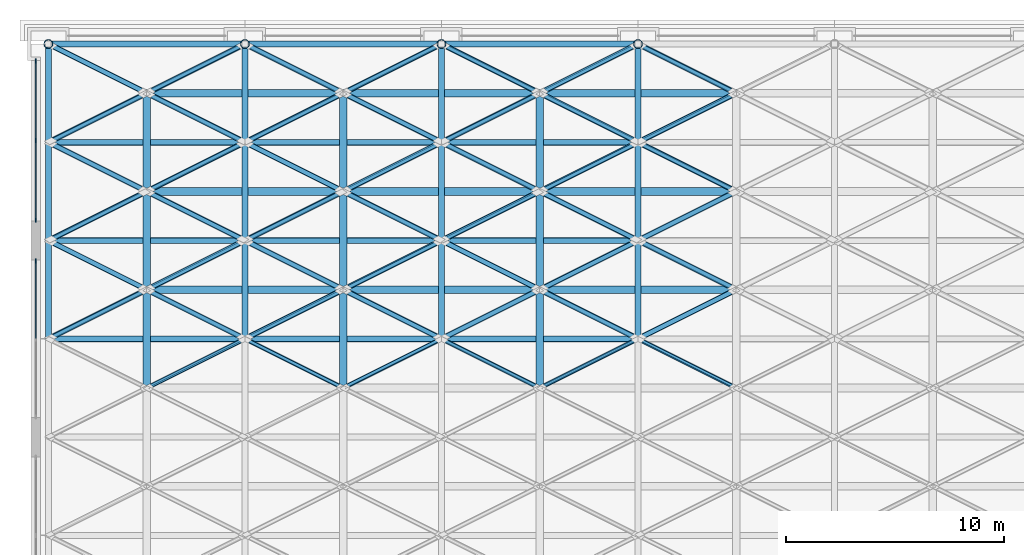
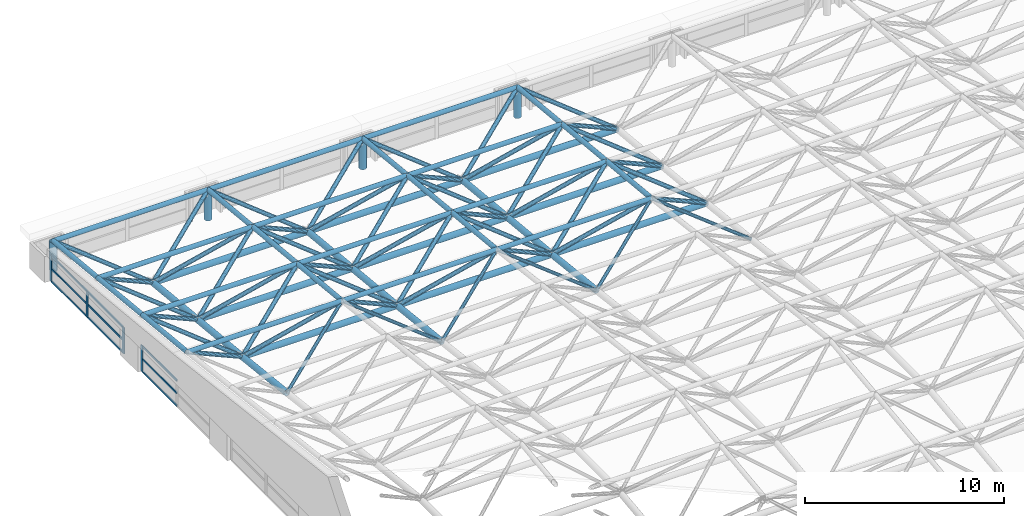
# One storey, part 9 of 53: 107 members, 2 elements without a shape of their own.
"""IFC4 building model written with IfcOpenShell, lengths in metres."""

import ifcopenshell
import ifcopenshell.guid

model = None  # the IFC model being written
_history = None  # IfcOwnerHistory: only IFC2X3 demands one
_inside = {}  # id of a spatial element -> (the spatial element, [elements in it])
_under = {}  # id of a project, library or spatial element -> (it, [spatial elements below it])
_declared = {}  # id of a project -> (the project, [libraries it declares])
_typed = {}  # id of a type object -> (the type object, [elements of that type])
_made_of = {}  # id of a material, layer set ... -> (it, [elements and type objects made of it])


def new_model(schema):
    """Start an empty IFC model of exactly this schema.

    Asked for "IFC4X3", IfcOpenShell would pick the latest addendum, in which some entities
    have other attributes; the version numbers below select the first issue.
    IFC2X3 requires an IfcOwnerHistory on every rooted entity: one is made here for all.
    """
    global model, _history
    if schema == "IFC4X3":
        model = ifcopenshell.file(schema_version=(4, 3, 0, 0))
    else:
        model = ifcopenshell.file(schema=schema)
    _inside.clear()
    _under.clear()
    _declared.clear()
    _typed.clear()
    _made_of.clear()
    _history = None
    if model.schema == "IFC2X3":
        org = make("IfcOrganization", Name="unknown")
        user = make(
            "IfcPersonAndOrganization",
            ThePerson=make("IfcPerson", FamilyName="unknown"),
            TheOrganization=org,
        )
        app = make(
            "IfcApplication",
            ApplicationDeveloper=org,
            Version="unknown",
            ApplicationFullName="unknown",
            ApplicationIdentifier="unknown",
        )
        _history = make(
            "IfcOwnerHistory",
            OwningUser=user,
            OwningApplication=app,
            ChangeAction="ADDED",
            CreationDate=0,
        )
    return model


def make(cls, **values):
    """One entity of the class cls with the attributes given. An attribute that is None is left unset."""
    return model.create_entity(
        cls, **{name: value for name, value in values.items() if value is not None}
    )


def rooted(cls, **values):
    """An entity with a GlobalId (a new one), such as an element, a storey or a relation."""
    return make(cls, GlobalId=ifcopenshell.guid.new(), OwnerHistory=_history, **values)


def si_unit(unit_type, name, prefix=None):
    """IfcSIUnit, for example si_unit("LENGTHUNIT", "METRE", prefix="MILLI")."""
    return make("IfcSIUnit", UnitType=unit_type, Prefix=prefix, Name=name)


def assignment(units):
    """IfcUnitAssignment: the units of a project."""
    return None if units is None else make("IfcUnitAssignment", Units=units)


def point(xyz):
    """IfcCartesianPoint."""
    return None if xyz is None else make("IfcCartesianPoint", Coordinates=xyz)


def direction(xyz):
    """IfcDirection."""
    return None if xyz is None else make("IfcDirection", DirectionRatios=xyz)


def frame(location, z_axis=None, x_axis=None):
    """IfcAxis2Placement3D, a coordinate frame: its origin and axes. An axis left out is left unset."""
    return make(
        "IfcAxis2Placement3D",
        Location=point(location),
        Axis=direction(z_axis),
        RefDirection=direction(x_axis),
    )


def frame_2d(location, x_axis=None):
    """IfcAxis2Placement2D, a coordinate frame in the plane: its origin and x axis."""
    return make(
        "IfcAxis2Placement2D", Location=point(location), RefDirection=direction(x_axis)
    )


def origin():
    """The frame at (0, 0, 0) with its axes left unset."""
    return frame((0.0, 0.0, 0.0))


def origin_2d():
    """The frame at (0, 0) in the plane with its x axis left unset."""
    return frame_2d((0.0, 0.0))


def place(relative_to, where):
    """IfcLocalPlacement: puts the frame where relative to a parent placement (None: the world)."""
    return make(
        "IfcLocalPlacement", PlacementRelTo=relative_to, RelativePlacement=where
    )


def context(
    kind, dimensions, precision=None, world=None, true_north=None, identifier=None
):
    """IfcGeometricRepresentationContext, for example the 3D "Model" context."""
    return make(
        "IfcGeometricRepresentationContext",
        ContextIdentifier=identifier,
        ContextType=kind,
        CoordinateSpaceDimension=dimensions,
        Precision=precision,
        WorldCoordinateSystem=world,
        TrueNorth=true_north,
    )


def subcontext(parent, identifier, kind, view, scale=None):
    """IfcGeometricRepresentationSubContext, for example "Body" below "Model"."""
    return make(
        "IfcGeometricRepresentationSubContext",
        ContextIdentifier=identifier,
        ContextType=kind,
        ParentContext=parent,
        TargetScale=scale,
        TargetView=view,
    )


def project(units=None, contexts=None):
    """IfcProject with its units and contexts."""
    return rooted(
        "IfcProject",
        Name="project",
        RepresentationContexts=contexts,
        UnitsInContext=assignment(units),
    )


def spatial(cls, under=None, at=None, **own):
    """A site, building, storey or space (cls), placed at a placement, below another one or the project."""
    s = rooted(cls, ObjectPlacement=at, **own)
    if under is not None:
        _under.setdefault(under.id(), (under, []))[1].append(s)
    return s


def profile(cls, at=None, kind="AREA", **sizes):
    """A parametric profile (cls). Its sizes go by their IFC names, for example OverallWidth=200.0."""
    return make(cls, ProfileType=kind, Position=at, **sizes)


def rectangle(**sizes):
    """IfcRectangleProfileDef."""
    return profile("IfcRectangleProfileDef", **sizes)


def hollow_circle(**sizes):
    """IfcCircleHollowProfileDef."""
    return profile("IfcCircleHollowProfileDef", **sizes)


def extrude(swept, where, along, depth):
    """IfcExtrudedAreaSolid: the profile swept, set in the frame where, extruded along a direction by depth."""
    return make(
        "IfcExtrudedAreaSolid",
        SweptArea=swept,
        Position=where,
        ExtrudedDirection=direction(along),
        Depth=depth,
    )


def shape(context_of_items, identifier, shape_type, items):
    """IfcShapeRepresentation: the items that make up one representation, for example the "Body"."""
    return make(
        "IfcShapeRepresentation",
        ContextOfItems=context_of_items,
        RepresentationIdentifier=identifier,
        RepresentationType=shape_type,
        Items=items,
    )


def material(Name=None, Category=None):
    """IfcMaterial."""
    return make("IfcMaterial", Name=Name, Category=Category)


def material_profile(
    of_material, cross_section, Name=None, Category=None, Priority=None
):
    """IfcMaterialProfile: a cross section and its material."""
    return make(
        "IfcMaterialProfile",
        Name=Name,
        Material=of_material,
        Profile=cross_section,
        Priority=Priority,
        Category=Category,
    )


def profile_set(profiles, Name=None, composite=None):
    """IfcMaterialProfileSet."""
    return make(
        "IfcMaterialProfileSet",
        Name=Name,
        MaterialProfiles=profiles,
        CompositeProfile=composite,
    )


def made_of(thing, what):
    """Note that an element or type object is made of a material, layer set ...; save() writes the relation."""
    if what is not None:
        _made_of.setdefault(what.id(), (what, []))[1].append(thing)
    return thing


def type_object(cls, material=None, **own):
    """A type object (cls), such as IfcWallType, which elements share."""
    return made_of(rooted(cls, **own), material)


def element(
    cls,
    number,
    at=None,
    inside=None,
    cuts=None,
    type_object=None,
    material=None,
    context=None,
    identifier="Body",
    shape_type=None,
    held_by="IfcProductDefinitionShape",
    body=None,
    shapes=None,
    **own,
):
    """One element of the class cls, such as IfcWall. Its Tag is "e" and its number.

    at: its placement. inside: the storey or other place that contains it. cuts: it is an
    opening in that element (IfcRelVoidsElement). A single representation is given by context,
    identifier, shape_type and body (its items); several are given by shapes. held_by: the class
    of the entity that holds the representations. save() writes the other relations.
    """
    e = rooted(cls, Tag="e%d" % number, ObjectPlacement=at, **own)
    if body is not None:
        shapes = [shape(context, identifier, shape_type, body)]
    if shapes is not None:
        e.Representation = make(held_by, Representations=shapes)
    if inside is not None:
        _inside.setdefault(inside.id(), (inside, []))[1].append(e)
    if cuts is not None:
        rooted(
            "IfcRelVoidsElement", RelatingBuildingElement=cuts, RelatedOpeningElement=e
        )
    if type_object is not None:
        _typed.setdefault(type_object.id(), (type_object, []))[1].append(e)
    return made_of(e, material)


def aggregate(whole, parts):
    """IfcRelAggregates: a whole, such as a stair, and the parts it consists of."""
    return rooted("IfcRelAggregates", RelatingObject=whole, RelatedObjects=parts)


def save(model, path):
    """Write the relations noted so far, then the file.

    IfcRelAggregates (storeys below a building ...), IfcRelContainedInSpatialStructure (elements
    in a storey), IfcRelDefinesByType, IfcRelAssociatesMaterial and IfcRelDeclares: one each for
    every whole, place, type object, material and project.
    """
    for whole, parts in _under.values():
        aggregate(whole, parts)
    for where, things in _inside.values():
        rooted(
            "IfcRelContainedInSpatialStructure",
            RelatedElements=things,
            RelatingStructure=where,
        )
    for kind, things in _typed.values():
        rooted("IfcRelDefinesByType", RelatedObjects=things, RelatingType=kind)
    for what, things in _made_of.values():
        rooted("IfcRelAssociatesMaterial", RelatedObjects=things, RelatingMaterial=what)
    for by, libraries in _declared.values():
        rooted("IfcRelDeclares", RelatingContext=by, RelatedDefinitions=libraries)
    model.write(path)


model = new_model("IFC4")

# Units and contexts
model_context = context("Model", 3, precision=1e-05, world=origin(), true_north=direction((0.0, 1.0)))
body_context = subcontext(model_context, "Body", "Model", "MODEL_VIEW")
ifc_project = project(units=[si_unit("LENGTHUNIT", "METRE"), si_unit("AREAUNIT", "SQUARE_METRE"), si_unit("VOLUMEUNIT", "CUBIC_METRE"), si_unit("PLANEANGLEUNIT", "RADIAN"), si_unit("MASSUNIT", "GRAM", prefix="KILO")], contexts=[model_context])

# Site, building, storey
site_placement = place(None, origin())
site = spatial("IfcSite", under=ifc_project, at=site_placement, CompositionType="ELEMENT")
building_placement = place(site_placement, origin())
building = spatial("IfcBuilding", under=site, at=building_placement, Name="Aravalli Gate Trade Fair Centre", CompositionType="ELEMENT")
storey_placement = place(building_placement, frame((0.0, 0.0, 25.199951171875)))
storey = spatial("IfcBuildingStorey", under=building, at=storey_placement, Name="ROOF LEVEL 2", CompositionType="ELEMENT", Elevation=25.199951171875)

# Members
ifc_material_1 = material(Name="Steel E350", Category="steel")
ifc_material_profile_1 = material_profile(ifc_material_1, hollow_circle(Radius=0.096923828125, WallThickness=0.00634765625, at=origin_2d()), Name="CHS 193.7x6.3")
ifc_profile_set_1 = profile_set([ifc_material_profile_1], Name="Steel E350")
member_type_1 = type_object("IfcMemberType", Name="CHS 193.7x6.3", PredefinedType="BRACE", material=ifc_profile_set_1)
for number, where, z_axis, x_axis, name in (
    (1, (15.0, 95.5, 3.150146484375), (0.786469857322, -0.393234928661, -0.476268258867), (0.4472135955, 0.894427191, 0.0), "Space frame web diagonal D5C"),
    (2, (24.0, 95.5, 3.150146484375), (0.786469857322, -0.393234928661, -0.476268258867), (0.4472135955, 0.894427191, 0.0), "Space frame web diagonal D5C"),
    (3, (33.0, 95.5, 3.150146484375), (0.786469857322, -0.393234928661, -0.476268258867), (0.4472135955, 0.894427191, 0.0), "Space frame web diagonal D5C"),
    (4, (15.0, 95.5, 3.150146484375), (-0.786469857322, -0.393234928661, -0.476268258867), (0.4472135955, -0.894427191, 0.0), "Space frame web diagonal D5D"),
    (5, (24.0, 95.5, 3.150146484375), (-0.786469857322, -0.393234928661, -0.476268258867), (0.4472135955, -0.894427191, 0.0), "Space frame web diagonal D5D"),
    (6, (33.0, 95.5, 3.150146484375), (-0.786469857322, -0.393234928661, -0.476268258867), (0.4472135955, -0.894427191, 0.0), "Space frame web diagonal D5D"),
):
    element("IfcMember", number, at=place(storey_placement, frame(where, z_axis=z_axis, x_axis=x_axis)), inside=storey, type_object=member_type_1, Name=name, PredefinedType="BRACE", context=body_context, shape_type="SweptSolid", body=[
        extrude(hollow_circle(Radius=0.096923828125, WallThickness=0.00634765625, at=origin_2d()), origin(), (0.0, 0.0, 1.0), 5.7216796875),
    ])
ifc_material_profile_2 = material_profile(ifc_material_1, hollow_circle(Radius=0.122314453125, WallThickness=0.008056640625, at=origin_2d()), Name="CHS 244.5x8")
ifc_profile_set_2 = profile_set([ifc_material_profile_2], Name="Steel E350")
member_type_2 = type_object("IfcMemberType", Name="CHS 244.5x8", PredefinedType="BRACE", material=ifc_profile_set_2)
for number, where, z_axis, x_axis, name in (
    (7, (6.0, 95.5, 3.150146484375), (0.752999619823, 0.376499809912, -0.539666068678), (-0.4472135955, 0.894427191, 0.0), "Space frame web diagonal D6A"),
    (8, (15.0, 95.5, 3.150146484375), (0.752999619823, 0.376499809912, -0.539666068678), (-0.4472135955, 0.894427191, 0.0), "Space frame web diagonal D6A"),
    (9, (24.0, 95.5, 3.150146484375), (0.752999619823, 0.376499809912, -0.539666068678), (-0.4472135955, 0.894427191, 0.0), "Space frame web diagonal D6A"),
    (10, (33.0, 95.5, 3.150146484375), (0.752999619823, 0.376499809912, -0.539666068678), (-0.4472135955, 0.894427191, 0.0), "Space frame web diagonal D6A"),
    (11, (6.0, 100.0, 2.699951171875), (0.753016221047, 0.376508110523, -0.539637112837), (-0.4472135955, 0.894427191, 0.0), "Space frame web diagonal D6A"),
    (12, (15.0, 100.0, 2.699951171875), (0.753016221047, 0.376508110523, -0.539637112837), (-0.4472135955, 0.894427191, 0.0), "Space frame web diagonal D6A"),
    (13, (24.0, 100.0, 2.699951171875), (0.753016221047, 0.376508110523, -0.539637112837), (-0.4472135955, 0.894427191, 0.0), "Space frame web diagonal D6A"),
    (14, (33.0, 100.0, 2.699951171875), (0.753016221047, 0.376508110523, -0.539637112837), (-0.4472135955, 0.894427191, 0.0), "Space frame web diagonal D6A"),
    (15, (6.0, 104.5, 2.25), (0.753016221047, 0.376508110523, -0.539637112837), (-0.4472135955, 0.894427191, 0.0), "Space frame web diagonal D6A"),
    (16, (15.0, 104.5, 2.25), (0.753016221047, 0.376508110523, -0.539637112837), (-0.4472135955, 0.894427191, 0.0), "Space frame web diagonal D6A"),
    (17, (24.0, 104.5, 2.25), (0.753016221047, 0.376508110523, -0.539637112837), (-0.4472135955, 0.894427191, 0.0), "Space frame web diagonal D6A"),
    (18, (33.0, 104.5, 2.25), (0.753016221047, 0.376508110523, -0.539637112837), (-0.4472135955, 0.894427191, 0.0), "Space frame web diagonal D6A"),
    (19, (15.0, 95.5, 3.150146484375), (-0.752999619823, 0.376499809912, -0.539666068678), (-0.4472135955, -0.894427191, 0.0), "Space frame web diagonal D6B"),
    (20, (24.0, 95.5, 3.150146484375), (-0.752999619823, 0.376499809912, -0.539666068678), (-0.4472135955, -0.894427191, 0.0), "Space frame web diagonal D6B"),
    (21, (33.0, 95.5, 3.150146484375), (-0.752999619823, 0.376499809912, -0.539666068678), (-0.4472135955, -0.894427191, 0.0), "Space frame web diagonal D6B"),
    (22, (15.0, 100.0, 2.699951171875), (-0.753016221047, 0.376508110523, -0.539637112837), (-0.4472135955, -0.894427191, 0.0), "Space frame web diagonal D6B"),
    (23, (24.0, 100.0, 2.699951171875), (-0.753016221047, 0.376508110523, -0.539637112837), (-0.4472135955, -0.894427191, 0.0), "Space frame web diagonal D6B"),
    (24, (33.0, 100.0, 2.699951171875), (-0.753016221047, 0.376508110523, -0.539637112837), (-0.4472135955, -0.894427191, 0.0), "Space frame web diagonal D6B"),
    (25, (15.0, 104.5, 2.25), (-0.753016221047, 0.376508110523, -0.539637112837), (-0.4472135955, -0.894427191, 0.0), "Space frame web diagonal D6B"),
    (26, (24.0, 104.5, 2.25), (-0.753016221047, 0.376508110523, -0.539637112837), (-0.4472135955, -0.894427191, 0.0), "Space frame web diagonal D6B"),
    (27, (33.0, 104.5, 2.25), (-0.753016221047, 0.376508110523, -0.539637112837), (-0.4472135955, -0.894427191, 0.0), "Space frame web diagonal D6B"),
):
    element("IfcMember", number, at=place(storey_placement, frame(where, z_axis=z_axis, x_axis=x_axis)), inside=storey, type_object=member_type_2, Name=name, PredefinedType="BRACE", context=body_context, shape_type="SweptSolid", body=[
        extrude(hollow_circle(Radius=0.122314453125, WallThickness=0.008056640625, at=origin_2d()), origin(), (0.0, 0.0, 1.0), 5.97607421875),
    ])
for number, where, z_axis, x_axis, name in (
    (28, (6.0, 100.0, 2.699951171875), (0.783200147531, -0.391600073766, -0.48295642778), (0.4472135955, 0.894427191, 0.0), "Space frame web diagonal D6C"),
    (29, (15.0, 100.0, 2.699951171875), (0.783200147531, -0.391600073766, -0.48295642778), (0.4472135955, 0.894427191, 0.0), "Space frame web diagonal D6C"),
    (30, (24.0, 100.0, 2.699951171875), (0.783200147531, -0.391600073766, -0.48295642778), (0.4472135955, 0.894427191, 0.0), "Space frame web diagonal D6C"),
    (31, (33.0, 100.0, 2.699951171875), (0.783200147531, -0.391600073766, -0.48295642778), (0.4472135955, 0.894427191, 0.0), "Space frame web diagonal D6C"),
    (32, (6.0, 104.5, 2.25), (0.783200147531, -0.391600073766, -0.48295642778), (0.4472135955, 0.894427191, 0.0), "Space frame web diagonal D6C"),
    (33, (15.0, 104.5, 2.25), (0.783200147531, -0.391600073766, -0.48295642778), (0.4472135955, 0.894427191, 0.0), "Space frame web diagonal D6C"),
    (34, (24.0, 104.5, 2.25), (0.783200147531, -0.391600073766, -0.48295642778), (0.4472135955, 0.894427191, 0.0), "Space frame web diagonal D6C"),
    (35, (33.0, 104.5, 2.25), (0.783200147531, -0.391600073766, -0.48295642778), (0.4472135955, 0.894427191, 0.0), "Space frame web diagonal D6C"),
    (36, (6.0, 109.0, 1.800048828125), (0.783200147531, -0.391600073766, -0.48295642778), (0.4472135955, 0.894427191, 0.0), "Space frame web diagonal D6C"),
    (37, (15.0, 109.0, 1.800048828125), (0.783200147531, -0.391600073766, -0.48295642778), (0.4472135955, 0.894427191, 0.0), "Space frame web diagonal D6C"),
    (38, (24.0, 109.0, 1.800048828125), (0.783200147531, -0.391600073766, -0.48295642778), (0.4472135955, 0.894427191, 0.0), "Space frame web diagonal D6C"),
    (39, (33.0, 109.0, 1.800048828125), (0.783200147531, -0.391600073766, -0.48295642778), (0.4472135955, 0.894427191, 0.0), "Space frame web diagonal D6C"),
    (40, (15.0, 100.0, 2.699951171875), (-0.783200147531, -0.391600073766, -0.48295642778), (0.4472135955, -0.894427191, 0.0), "Space frame web diagonal D6D"),
    (41, (24.0, 100.0, 2.699951171875), (-0.783200147531, -0.391600073766, -0.48295642778), (0.4472135955, -0.894427191, 0.0), "Space frame web diagonal D6D"),
    (42, (33.0, 100.0, 2.699951171875), (-0.783200147531, -0.391600073766, -0.48295642778), (0.4472135955, -0.894427191, 0.0), "Space frame web diagonal D6D"),
    (43, (15.0, 104.5, 2.25), (-0.783200147531, -0.391600073766, -0.48295642778), (0.4472135955, -0.894427191, 0.0), "Space frame web diagonal D6D"),
    (44, (24.0, 104.5, 2.25), (-0.783200147531, -0.391600073766, -0.48295642778), (0.4472135955, -0.894427191, 0.0), "Space frame web diagonal D6D"),
    (45, (33.0, 104.5, 2.25), (-0.783200147531, -0.391600073766, -0.48295642778), (0.4472135955, -0.894427191, 0.0), "Space frame web diagonal D6D"),
    (46, (15.0, 109.0, 1.800048828125), (-0.783200147531, -0.391600073766, -0.48295642778), (0.4472135955, -0.894427191, 0.0), "Space frame web diagonal D6D"),
    (47, (24.0, 109.0, 1.800048828125), (-0.783200147531, -0.391600073766, -0.48295642778), (0.4472135955, -0.894427191, 0.0), "Space frame web diagonal D6D"),
    (48, (33.0, 109.0, 1.800048828125), (-0.783200147531, -0.391600073766, -0.48295642778), (0.4472135955, -0.894427191, 0.0), "Space frame web diagonal D6D"),
):
    element("IfcMember", number, at=place(storey_placement, frame(where, z_axis=z_axis, x_axis=x_axis)), inside=storey, type_object=member_type_2, Name=name, PredefinedType="BRACE", context=body_context, shape_type="SweptSolid", body=[
        extrude(hollow_circle(Radius=0.122314453125, WallThickness=0.008056640625, at=origin_2d()), origin(), (0.0, 0.0, 1.0), 5.74560546875),
    ])
ifc_material_profile_3 = material_profile(ifc_material_1, hollow_circle(Radius=0.136474609375, WallThickness=0.010009765625, at=origin_2d()), Name="CHS 273.1x10")
ifc_profile_set_3 = profile_set([ifc_material_profile_3], Name="Steel E350")
member_type_3 = type_object("IfcMemberType", Name="CHS 273.1x10", PredefinedType="CHORD", material=ifc_profile_set_3)
for number, where, z_axis, x_axis, name in (
    (49, (6.0, 95.5, 3.150146484375), (1.0, 0.0, 0.0), (0.0, 1.0, 0.0), "Space frame top chord along the lines T6"),
    (50, (15.0, 95.5, 3.150146484375), (1.0, 0.0, 0.0), (0.0, 1.0, 0.0), "Space frame top chord along the lines T6"),
    (51, (24.0, 95.5, 3.150146484375), (1.0, 0.0, 0.0), (0.0, 1.0, 0.0), "Space frame top chord along the lines T6"),
    (52, (6.0, 100.0, 2.699951171875), (1.0, 0.0, 0.0), (0.0, 1.0, 0.0), "Space frame top chord along the lines T7"),
    (53, (15.0, 100.0, 2.699951171875), (1.0, 0.0, 0.0), (0.0, 1.0, 0.0), "Space frame top chord along the lines T7"),
    (54, (24.0, 100.0, 2.699951171875), (1.0, 0.0, 0.0), (0.0, 1.0, 0.0), "Space frame top chord along the lines T7"),
    (55, (6.0, 104.5, 2.25), (1.0, 0.0, 0.0), (0.0, 1.0, 0.0), "Space frame top chord along the lines T7"),
    (56, (15.0, 104.5, 2.25), (1.0, 0.0, 0.0), (0.0, 1.0, 0.0), "Space frame top chord along the lines T7"),
    (57, (24.0, 104.5, 2.25), (1.0, 0.0, 0.0), (0.0, 1.0, 0.0), "Space frame top chord along the lines T7"),
):
    element("IfcMember", number, at=place(storey_placement, frame(where, z_axis=z_axis, x_axis=x_axis)), inside=storey, type_object=member_type_3, Name=name, PredefinedType="CHORD", context=body_context, shape_type="SweptSolid", body=[
        extrude(hollow_circle(Radius=0.136474609375, WallThickness=0.010009765625, at=origin_2d()), origin(), (0.0, 0.0, 1.0), 9.0),
    ])
for number, where, z_axis, x_axis, name in (
    (58, (15.0, 95.5, 3.150146484375), (0.0, 0.995032913332, -0.099546478526), (-1.0, 0.0, 0.0), "Space frame top chord across the vault Y6"),
    (59, (15.0, 100.0, 2.699951171875), (0.0, 0.995038259148, -0.099493029059), (-1.0, 0.0, 0.0), "Space frame top chord across the vault Y6"),
    (60, (15.0, 104.5, 2.25), (0.0, 0.995038259148, -0.099493029059), (-1.0, 0.0, 0.0), "Space frame top chord across the vault Y6"),
    (61, (24.0, 95.5, 3.150146484375), (0.0, 0.995032913332, -0.099546478526), (-1.0, 0.0, 0.0), "Space frame top chord across the vault Y6"),
    (62, (24.0, 100.0, 2.699951171875), (0.0, 0.995038259148, -0.099493029059), (-1.0, 0.0, 0.0), "Space frame top chord across the vault Y6"),
    (63, (24.0, 104.5, 2.25), (0.0, 0.995038259148, -0.099493029059), (-1.0, 0.0, 0.0), "Space frame top chord across the vault Y6"),
    (64, (33.0, 95.5, 3.150146484375), (0.0, 0.995032913332, -0.099546478526), (-1.0, 0.0, 0.0), "Space frame top chord across the vault Y6"),
    (65, (33.0, 100.0, 2.699951171875), (0.0, 0.995038259148, -0.099493029059), (-1.0, 0.0, 0.0), "Space frame top chord across the vault Y6"),
    (66, (33.0, 104.5, 2.25), (0.0, 0.995038259148, -0.099493029059), (-1.0, 0.0, 0.0), "Space frame top chord across the vault Y6"),
):
    element("IfcMember", number, at=place(storey_placement, frame(where, z_axis=z_axis, x_axis=x_axis)), inside=storey, type_object=member_type_3, Name=name, PredefinedType="CHORD", context=body_context, shape_type="SweptSolid", body=[
        extrude(hollow_circle(Radius=0.136474609375, WallThickness=0.010009765625, at=origin_2d()), origin(), (0.0, 0.0, 1.0), 4.5224609375),
    ])
ifc_material_profile_4 = material_profile(ifc_material_1, hollow_circle(Radius=0.136474609375, WallThickness=0.01611328125, at=origin_2d()), Name="CHS 273.1x16")
ifc_profile_set_4 = profile_set([ifc_material_profile_4], Name="Steel E350")
member_type_4 = type_object("IfcMemberType", Name="CHS 273.1x16", PredefinedType="CHORD", material=ifc_profile_set_4)
for number, where, z_axis, x_axis, name in (
    (67, (6.0, 109.0, 1.800048828125), (1.0, 0.0, 0.0), (0.0, 1.0, 0.0), "Space frame top chord along the lines TE2"),
    (68, (15.0, 109.0, 1.800048828125), (1.0, 0.0, 0.0), (0.0, 1.0, 0.0), "Space frame top chord along the lines TE2"),
    (69, (24.0, 109.0, 1.800048828125), (1.0, 0.0, 0.0), (0.0, 1.0, 0.0), "Space frame top chord along the lines TE2"),
):
    element("IfcMember", number, at=place(storey_placement, frame(where, z_axis=z_axis, x_axis=x_axis)), inside=storey, type_object=member_type_4, Name=name, PredefinedType="CHORD", context=body_context, shape_type="SweptSolid", body=[
        extrude(hollow_circle(Radius=0.136474609375, WallThickness=0.01611328125, at=origin_2d()), origin(), (0.0, 0.0, 1.0), 9.0),
    ])
for number, where, z_axis, x_axis, name in (
    (70, (6.0, 95.5, 3.150146484375), (0.0, 0.995032913332, -0.099546478526), (-1.0, 0.0, 0.0), "Space frame edge chord at the end lines YE6"),
    (71, (6.0, 100.0, 2.699951171875), (0.0, 0.995038259148, -0.099493029059), (-1.0, 0.0, 0.0), "Space frame edge chord at the end lines YE6"),
    (72, (6.0, 104.5, 2.25), (0.0, 0.995038259148, -0.099493029059), (-1.0, 0.0, 0.0), "Space frame edge chord at the end lines YE6"),
):
    element("IfcMember", number, at=place(storey_placement, frame(where, z_axis=z_axis, x_axis=x_axis)), inside=storey, type_object=member_type_4, Name=name, PredefinedType="CHORD", context=body_context, shape_type="SweptSolid", body=[
        extrude(hollow_circle(Radius=0.136474609375, WallThickness=0.01611328125, at=origin_2d()), origin(), (0.0, 0.0, 1.0), 4.5224609375),
    ])
ifc_material_profile_5 = material_profile(ifc_material_1, hollow_circle(Radius=0.177734375, WallThickness=0.010009765625, at=origin_2d()), Name="CHS 355.6x10")
ifc_profile_set_5 = profile_set([ifc_material_profile_5], Name="Steel E350")
member_type_5 = type_object("IfcMemberType", Name="CHS 355.6x10", PredefinedType="CHORD", material=ifc_profile_set_5)
for number, where, z_axis, x_axis, name in (
    (73, (10.5, 97.75, -0.074951171875), (1.0, 0.0, 0.0), (0.0, 1.0, 0.0), "Space frame bottom chord along the lines B6"),
    (74, (19.5, 97.75, -0.074951171875), (1.0, 0.0, 0.0), (0.0, 1.0, 0.0), "Space frame bottom chord along the lines B6"),
    (75, (28.5, 97.75, -0.074951171875), (1.0, 0.0, 0.0), (0.0, 1.0, 0.0), "Space frame bottom chord along the lines B6"),
    (76, (10.5, 102.25, -0.52490234375), (1.0, 0.0, 0.0), (0.0, 1.0, 0.0), "Space frame bottom chord along the lines B6"),
    (77, (19.5, 102.25, -0.52490234375), (1.0, 0.0, 0.0), (0.0, 1.0, 0.0), "Space frame bottom chord along the lines B6"),
    (78, (28.5, 102.25, -0.52490234375), (1.0, 0.0, 0.0), (0.0, 1.0, 0.0), "Space frame bottom chord along the lines B6"),
):
    element("IfcMember", number, at=place(storey_placement, frame(where, z_axis=z_axis, x_axis=x_axis)), inside=storey, type_object=member_type_5, Name=name, PredefinedType="CHORD", context=body_context, shape_type="SweptSolid", body=[
        extrude(hollow_circle(Radius=0.177734375, WallThickness=0.010009765625, at=origin_2d()), origin(), (0.0, 0.0, 1.0), 9.0),
    ])
for number, where, z_axis, x_axis, name in (
    (79, (10.5, 93.25, 0.425048828125), (0.0, 0.993883734674, -0.110431526075), (-1.0, 0.0, 0.0), "Space frame bottom chord across the vault C10"),
    (80, (19.5, 93.25, 0.425048828125), (0.0, 0.993883734674, -0.110431526075), (-1.0, 0.0, 0.0), "Space frame bottom chord across the vault C10"),
    (81, (28.5, 93.25, 0.425048828125), (0.0, 0.993883734674, -0.110431526075), (-1.0, 0.0, 0.0), "Space frame bottom chord across the vault C10"),
):
    element("IfcMember", number, at=place(storey_placement, frame(where, z_axis=z_axis, x_axis=x_axis)), inside=storey, type_object=member_type_5, Name=name, PredefinedType="CHORD", context=body_context, shape_type="SweptSolid", body=[
        extrude(hollow_circle(Radius=0.177734375, WallThickness=0.010009765625, at=origin_2d()), origin(), (0.0, 0.0, 1.0), 4.527587890625),
    ])
for number, where, z_axis, x_axis, name in (
    (82, (10.5, 97.75, -0.074951171875), (0.0, 0.995038259148, -0.099493029059), (-1.0, 0.0, 0.0), "Space frame bottom chord across the vault C11"),
    (83, (10.5, 102.25, -0.52490234375), (0.0, 0.995038259148, -0.099493029059), (-1.0, 0.0, 0.0), "Space frame bottom chord across the vault C11"),
    (84, (19.5, 97.75, -0.074951171875), (0.0, 0.995038259148, -0.099493029059), (-1.0, 0.0, 0.0), "Space frame bottom chord across the vault C11"),
    (85, (19.5, 102.25, -0.52490234375), (0.0, 0.995038259148, -0.099493029059), (-1.0, 0.0, 0.0), "Space frame bottom chord across the vault C11"),
    (86, (28.5, 97.75, -0.074951171875), (0.0, 0.995038259148, -0.099493029059), (-1.0, 0.0, 0.0), "Space frame bottom chord across the vault C11"),
    (87, (28.5, 102.25, -0.52490234375), (0.0, 0.995038259148, -0.099493029059), (-1.0, 0.0, 0.0), "Space frame bottom chord across the vault C11"),
):
    element("IfcMember", number, at=place(storey_placement, frame(where, z_axis=z_axis, x_axis=x_axis)), inside=storey, type_object=member_type_5, Name=name, PredefinedType="CHORD", context=body_context, shape_type="SweptSolid", body=[
        extrude(hollow_circle(Radius=0.177734375, WallThickness=0.010009765625, at=origin_2d()), origin(), (0.0, 0.0, 1.0), 4.5224609375),
    ])
ifc_material_profile_6 = material_profile(ifc_material_1, hollow_circle(Radius=0.177734375, WallThickness=0.01611328125, at=origin_2d()), Name="CHS 355.6x16")
ifc_profile_set_6 = profile_set([ifc_material_profile_6], Name="Steel E350")
member_type_6 = type_object("IfcMemberType", Name="CHS 355.6x16", PredefinedType="CHORD", material=ifc_profile_set_6)
for number, where, z_axis, x_axis, name in (
    (88, (10.5, 106.75, -0.974853515625), (1.0, 0.0, 0.0), (0.0, 1.0, 0.0), "Space frame bottom chord along the lines BE2"),
    (89, (19.5, 106.75, -0.974853515625), (1.0, 0.0, 0.0), (0.0, 1.0, 0.0), "Space frame bottom chord along the lines BE2"),
    (90, (28.5, 106.75, -0.974853515625), (1.0, 0.0, 0.0), (0.0, 1.0, 0.0), "Space frame bottom chord along the lines BE2"),
):
    element("IfcMember", number, at=place(storey_placement, frame(where, z_axis=z_axis, x_axis=x_axis)), inside=storey, type_object=member_type_6, Name=name, PredefinedType="CHORD", context=body_context, shape_type="SweptSolid", body=[
        extrude(hollow_circle(Radius=0.177734375, WallThickness=0.01611328125, at=origin_2d()), origin(), (0.0, 0.0, 1.0), 9.0),
    ])
ifc_material_profile_7 = material_profile(ifc_material_1, hollow_circle(Radius=0.203125, WallThickness=0.01611328125, at=origin_2d()), Name="CHS 406.4x16")
ifc_profile_set_7 = profile_set([ifc_material_profile_7], Name="Steel E350")
member_type_7 = type_object("IfcMemberType", Name="CHS 406.4x16", PredefinedType="POST", material=ifc_profile_set_7)
for number, where, z_axis, x_axis, name in (
    (91, (6.0, 109.0, 0.0), (0.0, 0.0, 1.0), (1.0, 0.0, 0.0), "Space frame bearing post P1"),
    (92, (15.0, 109.0, 0.0), (0.0, 0.0, 1.0), (1.0, 0.0, 0.0), "Space frame bearing post P1"),
    (93, (24.0, 109.0, 0.0), (0.0, 0.0, 1.0), (1.0, 0.0, 0.0), "Space frame bearing post P1"),
    (94, (33.0, 109.0, 0.0), (0.0, 0.0, 1.0), (1.0, 0.0, 0.0), "Space frame bearing post P1"),
):
    element("IfcMember", number, at=place(storey_placement, frame(where, z_axis=z_axis, x_axis=x_axis)), inside=storey, type_object=member_type_7, Name=name, PredefinedType="POST", context=body_context, shape_type="SweptSolid", body=[
        extrude(hollow_circle(Radius=0.203125, WallThickness=0.01611328125, at=origin_2d()), origin(), (0.0, 0.0, 1.0), 1.800048828125),
    ])

# Curtain wall, member
ifc_material_2 = material(Name="Aluminium, glass and louvre", Category="aluminium")
curtain_wall_type = type_object("IfcCurtainWallType", Name="Hall crown curtain wall 3000 module", PredefinedType="NOTDEFINED", material=ifc_material_2)
curtain_wall_1_placement = place(storey_placement, origin())
curtain_wall_1 = element("IfcCurtainWall", 95, at=curtain_wall_1_placement, inside=storey, type_object=curtain_wall_type, Name="Hall west crown curtain wall 6 ROOF LEVEL 2", PredefinedType="NOTDEFINED")
ifc_material_3 = material(Name="Aluminium", Category="aluminium")
ifc_material_profile_8 = material_profile(ifc_material_3, rectangle(XDim=0.06005859375, YDim=0.199951171875, at=origin_2d()), Name="Hall curtain wall mullion 60 x 200")
ifc_profile_set_8 = profile_set([ifc_material_profile_8], Name="Aluminium")
member_type_8 = type_object("IfcMemberType", Name="Hall curtain wall mullion 60 x 200", PredefinedType="MULLION", material=ifc_profile_set_8)
member_1_placement = place(storey_placement, frame((5.425048828125, 99.070068359375, 0.0), z_axis=(0.0, 0.0, 1.0), x_axis=(-1.0, 0.0, 0.0)))
member_1 = element("IfcMember", 96, at=member_1_placement, type_object=member_type_8, Name="HCW1 mullion 3", PredefinedType="MULLION", context=body_context, shape_type="SweptSolid", body=[
    extrude(rectangle(XDim=0.06005859375, YDim=0.199951171875, at=origin_2d()), origin(), (0.0, 0.0, 1.0), 1.60009765625),
])

# Curtain wall, members
curtain_wall_2_placement = place(storey_placement, origin())
curtain_wall_2 = element("IfcCurtainWall", 97, at=curtain_wall_2_placement, inside=storey, type_object=curtain_wall_type, Name="Hall west crown curtain wall 7 ROOF LEVEL 2", PredefinedType="NOTDEFINED")
member_2_placement = place(storey_placement, frame((5.425048828125, 100.929931640625, 0.0), z_axis=(0.0, 0.0, 1.0), x_axis=(-1.0, 0.0, 0.0)))
member_2 = element("IfcMember", 98, at=member_2_placement, type_object=member_type_8, Name="HCW1 mullion 1", PredefinedType="MULLION", context=body_context, shape_type="SweptSolid", body=[
    extrude(rectangle(XDim=0.06005859375, YDim=0.199951171875, at=origin_2d()), origin(), (0.0, 0.0, 1.0), 1.60009765625),
])
member_3_placement = place(storey_placement, frame((5.425048828125, 104.574951171875, 0.0), z_axis=(0.0, 0.0, 1.0), x_axis=(-1.0, 0.0, 0.0)))
member_3 = element("IfcMember", 99, at=member_3_placement, type_object=member_type_8, Name="HCW1 mullion 2", PredefinedType="MULLION", context=body_context, shape_type="SweptSolid", body=[
    extrude(rectangle(XDim=0.06005859375, YDim=0.199951171875, at=origin_2d()), origin(), (0.0, 0.0, 1.0), 1.60009765625),
])
member_4_placement = place(storey_placement, frame((5.425048828125, 108.219970703125, 0.0), z_axis=(0.0, 0.0, 1.0), x_axis=(-1.0, 0.0, 0.0)))
member_4 = element("IfcMember", 100, at=member_4_placement, type_object=member_type_8, Name="HCW1 mullion 3", PredefinedType="MULLION", context=body_context, shape_type="SweptSolid", body=[
    extrude(rectangle(XDim=0.06005859375, YDim=0.199951171875, at=origin_2d()), origin(), (0.0, 0.0, 1.0), 1.60009765625),
])

# Member
ifc_material_profile_9 = material_profile(ifc_material_3, rectangle(XDim=0.06005859375, YDim=0.1201171875, at=origin_2d()), Name="Hall curtain wall transom 60 x 120")
ifc_profile_set_9 = profile_set([ifc_material_profile_9], Name="Aluminium")
member_type_9 = type_object("IfcMemberType", Name="Hall curtain wall transom 60 x 120", PredefinedType="USERDEFINED", material=ifc_profile_set_9)
member_5_placement = place(storey_placement, frame((5.425048828125, 95.530029296875, 0.030029296875), z_axis=(0.0, 1.0, 0.0), x_axis=(-1.0, 0.0, 0.0)))
member_5 = element("IfcMember", 101, at=member_5_placement, type_object=member_type_9, Name="HCW1 transom 2.1", ObjectType="TRANSOM", PredefinedType="USERDEFINED", context=body_context, shape_type="SweptSolid", body=[
    extrude(rectangle(XDim=0.06005859375, YDim=0.1201171875, at=origin_2d()), origin(), (0.0, 0.0, 1.0), 3.510009765625),
])

member_6_placement = place(storey_placement, frame((5.425048828125, 95.530029296875, 0.800048828125), z_axis=(0.0, 1.0, 0.0), x_axis=(-1.0, 0.0, 0.0)))
member_6 = element("IfcMember", 102, at=member_6_placement, type_object=member_type_9, Name="HCW1 transom 2.2", ObjectType="TRANSOM", PredefinedType="USERDEFINED", context=body_context, shape_type="SweptSolid", body=[
    extrude(rectangle(XDim=0.06005859375, YDim=0.1201171875, at=origin_2d()), origin(), (0.0, 0.0, 1.0), 3.510009765625),
])

member_7_placement = place(storey_placement, frame((5.425048828125, 95.530029296875, 1.570068359375), z_axis=(0.0, 1.0, 0.0), x_axis=(-1.0, 0.0, 0.0)))
member_7 = element("IfcMember", 103, at=member_7_placement, type_object=member_type_9, Name="HCW1 transom 2.3", ObjectType="TRANSOM", PredefinedType="USERDEFINED", context=body_context, shape_type="SweptSolid", body=[
    extrude(rectangle(XDim=0.06005859375, YDim=0.1201171875, at=origin_2d()), origin(), (0.0, 0.0, 1.0), 3.510009765625),
])

aggregate(curtain_wall_1, [member_1, member_5, member_6, member_7])

member_8_placement = place(storey_placement, frame((5.425048828125, 100.9599609375, 0.030029296875), z_axis=(0.0, 1.0, 0.0), x_axis=(-1.0, 0.0, 0.0)))
member_8 = element("IfcMember", 104, at=member_8_placement, type_object=member_type_9, Name="HCW1 transom 1.1", ObjectType="TRANSOM", PredefinedType="USERDEFINED", context=body_context, shape_type="SweptSolid", body=[
    extrude(rectangle(XDim=0.06005859375, YDim=0.1201171875, at=origin_2d()), origin(), (0.0, 0.0, 1.0), 3.5849609375),
])

member_9_placement = place(storey_placement, frame((5.425048828125, 100.9599609375, 0.800048828125), z_axis=(0.0, 1.0, 0.0), x_axis=(-1.0, 0.0, 0.0)))
member_9 = element("IfcMember", 105, at=member_9_placement, type_object=member_type_9, Name="HCW1 transom 1.2", ObjectType="TRANSOM", PredefinedType="USERDEFINED", context=body_context, shape_type="SweptSolid", body=[
    extrude(rectangle(XDim=0.06005859375, YDim=0.1201171875, at=origin_2d()), origin(), (0.0, 0.0, 1.0), 3.5849609375),
])

member_10_placement = place(storey_placement, frame((5.425048828125, 100.9599609375, 1.570068359375), z_axis=(0.0, 1.0, 0.0), x_axis=(-1.0, 0.0, 0.0)))
member_10 = element("IfcMember", 106, at=member_10_placement, type_object=member_type_9, Name="HCW1 transom 1.3", ObjectType="TRANSOM", PredefinedType="USERDEFINED", context=body_context, shape_type="SweptSolid", body=[
    extrude(rectangle(XDim=0.06005859375, YDim=0.1201171875, at=origin_2d()), origin(), (0.0, 0.0, 1.0), 3.5849609375),
])

member_11_placement = place(storey_placement, frame((5.425048828125, 104.60498046875, 0.030029296875), z_axis=(0.0, 1.0, 0.0), x_axis=(-1.0, 0.0, 0.0)))
member_11 = element("IfcMember", 107, at=member_11_placement, type_object=member_type_9, Name="HCW1 transom 2.1", ObjectType="TRANSOM", PredefinedType="USERDEFINED", context=body_context, shape_type="SweptSolid", body=[
    extrude(rectangle(XDim=0.06005859375, YDim=0.1201171875, at=origin_2d()), origin(), (0.0, 0.0, 1.0), 3.5849609375),
])

member_12_placement = place(storey_placement, frame((5.425048828125, 104.60498046875, 0.800048828125), z_axis=(0.0, 1.0, 0.0), x_axis=(-1.0, 0.0, 0.0)))
member_12 = element("IfcMember", 108, at=member_12_placement, type_object=member_type_9, Name="HCW1 transom 2.2", ObjectType="TRANSOM", PredefinedType="USERDEFINED", context=body_context, shape_type="SweptSolid", body=[
    extrude(rectangle(XDim=0.06005859375, YDim=0.1201171875, at=origin_2d()), origin(), (0.0, 0.0, 1.0), 3.5849609375),
])

member_13_placement = place(storey_placement, frame((5.425048828125, 104.60498046875, 1.570068359375), z_axis=(0.0, 1.0, 0.0), x_axis=(-1.0, 0.0, 0.0)))
member_13 = element("IfcMember", 109, at=member_13_placement, type_object=member_type_9, Name="HCW1 transom 2.3", ObjectType="TRANSOM", PredefinedType="USERDEFINED", context=body_context, shape_type="SweptSolid", body=[
    extrude(rectangle(XDim=0.06005859375, YDim=0.1201171875, at=origin_2d()), origin(), (0.0, 0.0, 1.0), 3.5849609375),
])

aggregate(curtain_wall_2, [member_2, member_3, member_4, member_8, member_9, member_10, member_11, member_12, member_13])

save(model, "model.ifc")
